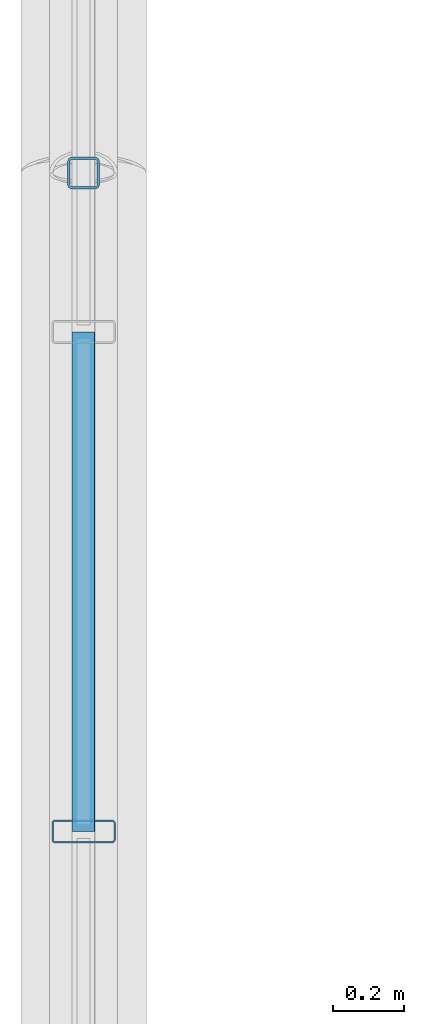
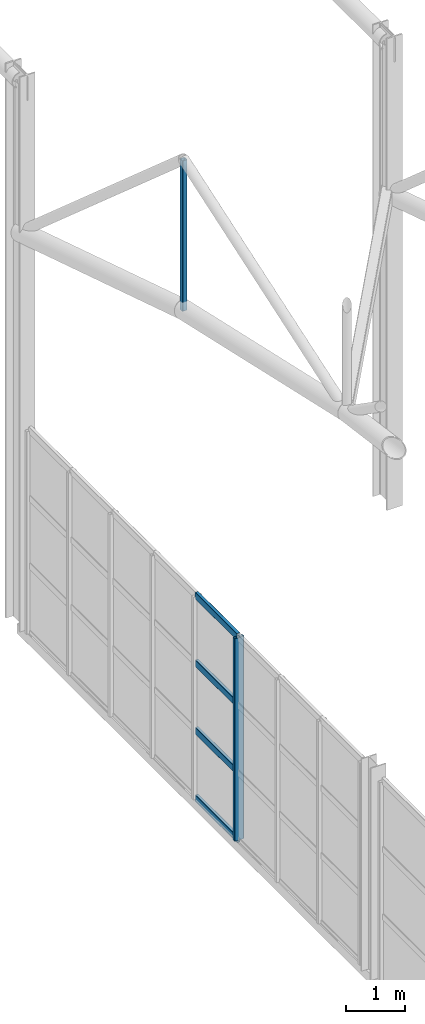
# One storey, part 50 of 153: 6 members, 1 element without a shape of its own.
"""IFC4 building model written with IfcOpenShell, lengths in metres."""

from ifc_helpers import new_model, si_unit, derived_unit, direction, frame, origin, origin_2d, place, context, subcontext, project, spatial, hollow_rectangle, extrude, material, material_profile, profile_set, type_object, element, aggregate, save


model = new_model("IFC4")

# Units and contexts
model_context = context("Model", 3, precision=1e-05, world=origin(), true_north=direction((0.0, 1.0)))
body_context = subcontext(model_context, "Body", "Model", "MODEL_VIEW")
ifc_project = project(units=[si_unit("LENGTHUNIT", "METRE"), si_unit("AREAUNIT", "SQUARE_METRE"), si_unit("VOLUMEUNIT", "CUBIC_METRE"), si_unit("PLANEANGLEUNIT", "RADIAN"), si_unit("MASSUNIT", "GRAM", prefix="KILO"), derived_unit("THERMALTRANSMITTANCEUNIT", [(si_unit("POWERUNIT", "WATT"), 1), (si_unit("LENGTHUNIT", "METRE"), -2), (si_unit("THERMODYNAMICTEMPERATUREUNIT", "KELVIN"), -1)])], contexts=[model_context])

# Site, building, storey
site_placement = place(None, origin())
site = spatial("IfcSite", under=ifc_project, at=site_placement, CompositionType="ELEMENT")
building_placement = place(site_placement, origin())
building = spatial("IfcBuilding", under=site, at=building_placement, Name="Keldorne Ridge Multi-Sports Centre", CompositionType="ELEMENT")
storey_placement = place(building_placement, frame((0.0, 0.0, 9.60009765625)))
storey = spatial("IfcBuildingStorey", under=building, at=storey_placement, Name="L02", CompositionType="ELEMENT", Elevation=9.60009765625)

# Curtain wall, members
ifc_material_1 = material(Name="Anodized aluminium", Category="aluminium")
curtain_wall_type = type_object("IfcCurtainWallType", Name="CW-CW-01", PredefinedType="NOTDEFINED", material=ifc_material_1)
curtain_wall_placement = place(storey_placement, origin())
curtain_wall = element("IfcCurtainWall", 1, at=curtain_wall_placement, inside=storey, type_object=curtain_wall_type, Name="Main Hall west high gable glazing 033", PredefinedType="NOTDEFINED")
ifc_material_profile_1 = material_profile(ifc_material_1, hollow_rectangle(XDim=0.06494140625, YDim=0.179931640625, WallThickness=0.00439453125, InnerFilletRadius=0.00439453125, OuterFilletRadius=0.009033203125, at=origin_2d()), Name="ALU MULLION 180x65x4.5")
ifc_profile_set_1 = profile_set([ifc_material_profile_1], Name="Anodized aluminium")
member_type_1 = type_object("IfcMemberType", Name="MEM-ML-01", PredefinedType="MULLION", material=ifc_profile_set_1)
member_1_placement = place(storey_placement, frame((6.0, 46.5849609375, 0.0), z_axis=(0.0, 0.0, 1.0), x_axis=(0.0, 1.0, 0.0)))
member_1 = element("IfcMember", 2, at=member_1_placement, type_object=member_type_1, Name="CW-033 vertical mullion 6", PredefinedType="MULLION", context=body_context, shape_type="SweptSolid", body=[
    extrude(hollow_rectangle(XDim=0.06494140625, YDim=0.179931640625, WallThickness=0.00439453125, InnerFilletRadius=0.00439453125, OuterFilletRadius=0.009033203125, at=origin_2d()), origin(), (0.0, 0.0, 1.0), 4.199951171875),
])
ifc_material_profile_2 = material_profile(ifc_material_1, hollow_rectangle(XDim=0.06494140625, YDim=0.139892578125, WallThickness=0.00439453125, InnerFilletRadius=0.00439453125, OuterFilletRadius=0.009033203125, at=origin_2d()), Name="ALU TRANSOM 140x65x4.5")
ifc_profile_set_2 = profile_set([ifc_material_profile_2], Name="Anodized aluminium")
member_type_2 = type_object("IfcMemberType", Name="MEM-TR-01", PredefinedType="USERDEFINED", material=ifc_profile_set_2)
member_2_placement = place(storey_placement, frame((6.0, 48.0, 0.0), z_axis=(0.0, -1.0, 0.0), x_axis=(1.0, 0.0, 0.0)))
member_2 = element("IfcMember", 3, at=member_2_placement, type_object=member_type_2, Name="CW-033 transom 5.1", ObjectType="TRANSOM", PredefinedType="USERDEFINED", context=body_context, shape_type="SweptSolid", body=[
    extrude(hollow_rectangle(XDim=0.06494140625, YDim=0.139892578125, WallThickness=0.00439453125, InnerFilletRadius=0.00439453125, OuterFilletRadius=0.009033203125, at=origin_2d()), origin(), (0.0, 0.0, 1.0), 1.4150390625),
])
member_3_placement = place(storey_placement, frame((6.0, 48.0, 1.39990234375), z_axis=(0.0, -1.0, 0.0), x_axis=(1.0, 0.0, 0.0)))
member_3 = element("IfcMember", 4, at=member_3_placement, type_object=member_type_2, Name="CW-033 transom 5.2", ObjectType="TRANSOM", PredefinedType="USERDEFINED", context=body_context, shape_type="SweptSolid", body=[
    extrude(hollow_rectangle(XDim=0.06494140625, YDim=0.139892578125, WallThickness=0.00439453125, InnerFilletRadius=0.00439453125, OuterFilletRadius=0.009033203125, at=origin_2d()), origin(), (0.0, 0.0, 1.0), 1.4150390625),
])
member_4_placement = place(storey_placement, frame((6.0, 48.0, 2.7998046875), z_axis=(0.0, -1.0, 0.0), x_axis=(1.0, 0.0, 0.0)))
member_4 = element("IfcMember", 5, at=member_4_placement, type_object=member_type_2, Name="CW-033 transom 5.3", ObjectType="TRANSOM", PredefinedType="USERDEFINED", context=body_context, shape_type="SweptSolid", body=[
    extrude(hollow_rectangle(XDim=0.06494140625, YDim=0.139892578125, WallThickness=0.00439453125, InnerFilletRadius=0.00439453125, OuterFilletRadius=0.009033203125, at=origin_2d()), origin(), (0.0, 0.0, 1.0), 1.4150390625),
])
member_5_placement = place(storey_placement, frame((6.0, 48.0, 4.199951171875), z_axis=(0.0, -1.0, 0.0), x_axis=(1.0, 0.0, 0.0)))
member_5 = element("IfcMember", 6, at=member_5_placement, type_object=member_type_2, Name="CW-033 transom 5.4", ObjectType="TRANSOM", PredefinedType="USERDEFINED", context=body_context, shape_type="SweptSolid", body=[
    extrude(hollow_rectangle(XDim=0.06494140625, YDim=0.139892578125, WallThickness=0.00439453125, InnerFilletRadius=0.00439453125, OuterFilletRadius=0.009033203125, at=origin_2d()), origin(), (0.0, 0.0, 1.0), 1.4150390625),
])
aggregate(curtain_wall, [member_1, member_2, member_3, member_4, member_5])

# Member
ifc_material_2 = material(Name="Steel S355", Category="steel")
ifc_material_profile_3 = material_profile(ifc_material_2, hollow_rectangle(XDim=0.090087890625, YDim=0.090087890625, WallThickness=0.00634765625, InnerFilletRadius=0.00634765625, OuterFilletRadius=0.0126953125, at=origin_2d()), Name="SHS 90x90x6.3")
ifc_profile_set_3 = profile_set([ifc_material_profile_3], Name="Steel S355")
member_type_3 = type_object("IfcMemberType", Name="MEM-TV-08", PredefinedType="STRUT", material=ifc_profile_set_3)
member_6_placement = place(storey_placement, frame((6.0, 48.449951171875, 9.849853515625), z_axis=(0.0, 0.0, 1.0), x_axis=(1.0, 0.0, 0.0)))
element("IfcMember", 7, at=member_6_placement, inside=storey, type_object=member_type_3, Name="Main Hall ROOF TRUSS AT-01 vertical 8", PredefinedType="STRUT", context=body_context, shape_type="SweptSolid", body=[
    extrude(hollow_rectangle(XDim=0.090087890625, YDim=0.090087890625, WallThickness=0.00634765625, InnerFilletRadius=0.00634765625, OuterFilletRadius=0.0126953125, at=origin_2d()), origin(), (0.0, 0.0, 1.0), 3.1201171875),
])

save(model, "model.ifc")
